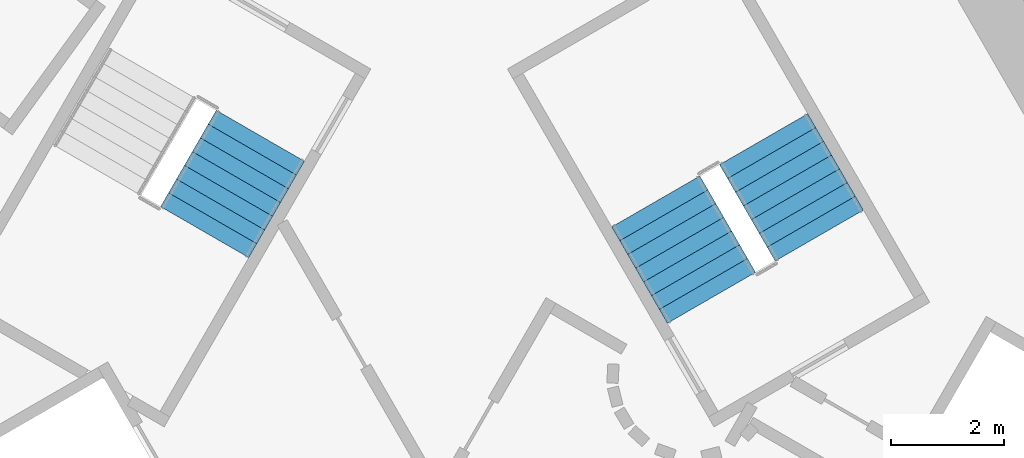
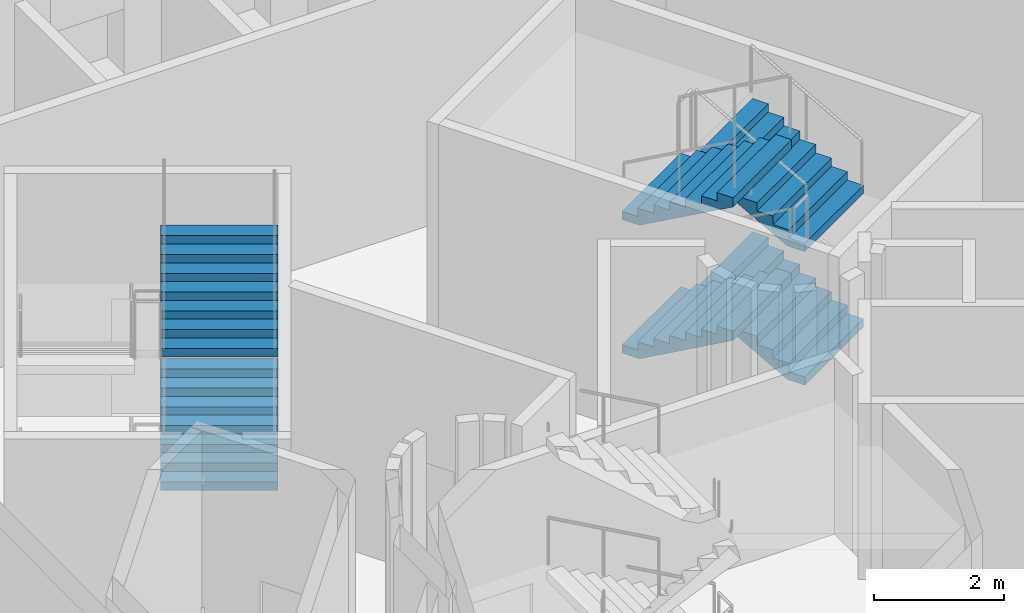
# One storey, part 11 of 16: 6 stair flights, 2 elements without a shape of their own.
"""IFC4 building model written with IfcOpenShell, lengths in metres."""

from ifc_helpers import new_model, si_unit, direction, frame, origin, place, context, subcontext, project, spatial, triangles, material, type_object, element, aggregate, save


model = new_model("IFC4")

# Units and contexts
model_context = context("Model", 3, precision=1e-05, world=origin(), true_north=direction((0.0, 1.0)))
body_context = subcontext(model_context, "Body", "Model", "MODEL_VIEW")
ifc_project = project(units=[si_unit("LENGTHUNIT", "METRE"), si_unit("AREAUNIT", "SQUARE_METRE"), si_unit("VOLUMEUNIT", "CUBIC_METRE"), si_unit("PLANEANGLEUNIT", "RADIAN"), si_unit("MASSUNIT", "GRAM", prefix="KILO")], contexts=[model_context])

# Site, building, storey
site_placement = place(None, origin())
site = spatial("IfcSite", under=ifc_project, at=site_placement, CompositionType="ELEMENT")
building_placement = place(site_placement, origin())
building = spatial("IfcBuilding", under=site, at=building_placement, Name="Entoto Arch Interchange Tower", CompositionType="ELEMENT")
storey_placement = place(building_placement, frame((0.0, 0.0, 20.0)))
storey = spatial("IfcBuildingStorey", under=building, at=storey_placement, Name="L03", CompositionType="ELEMENT", Elevation=20.0)

# Stair, stair flights
ifc_material = material(Name="Concrete C40/50", Category="concrete")
stair_type = type_object("IfcStairType", Name="EXIT STAIR RC 1800", PredefinedType="HALF_TURN_STAIR", material=ifc_material)
stair_1_placement = place(storey_placement, origin())
stair_1 = element("IfcStair", 1, at=stair_1_placement, inside=storey, type_object=stair_type, Name="L03 Exit stair NE", PredefinedType="HALF_TURN_STAIR")
stair_flight_type = type_object("IfcStairFlightType", Name="EXIT STAIR FLIGHT RC 1800", PredefinedType="STRAIGHT", material=ifc_material)
stair_flight_1_placement = place(storey_placement, frame((6.7138671875, 4.470947265625, 0.0), z_axis=(0.0, 0.0, 1.0), x_axis=(-0.5, 0.866025403784, 0.0)))
stair_flight_1 = element("IfcStairFlight", 2, at=stair_flight_1_placement, type_object=stair_flight_type, Name="ST-NE flight 1", NumberOfRisers=8, NumberOfTreads=7, PredefinedType="STRAIGHT", RiserHeight=0.15625, TreadLength=0.28, context=body_context, shape_type="Tessellation", body=[
    triangles([(-0.003, -0.900024, 0.0), (-0.003, -0.900024, 0.15625), (0.28, -0.900024, 0.15625), (0.28, -0.900024, 0.3125), (0.56, -0.900024, 0.3125), (0.56, -0.900024, 0.46875), (0.84, -0.900024, 0.46875), (0.84, -0.900024, 0.625), (1.12, -0.900024, 0.625), (1.12, -0.900024, 0.78125), (1.4, -0.900024, 0.78125), (1.4, -0.900024, 0.9375), (1.68, -0.900024, 0.9375), (1.68, -0.900024, 1.09375), (1.96, -0.900024, 1.09375), (1.963, -0.900024, 1.09375), (1.963, -0.900024, 0.923761), (0.30762, -0.900024, 0.0), (-0.003, 0.900024, 0.0), (-0.003, 0.900024, 0.15625), (0.28, 0.900024, 0.15625), (0.28, 0.900024, 0.3125), (0.56, 0.900024, 0.3125), (0.56, 0.900024, 0.46875), (0.84, 0.900024, 0.46875), (0.84, 0.900024, 0.625), (1.12, 0.900024, 0.625), (1.12, 0.900024, 0.78125), (1.4, 0.900024, 0.78125), (1.4, 0.900024, 0.9375), (1.68, 0.900024, 0.9375), (1.68, 0.900024, 1.09375), (1.96, 0.900024, 1.09375), (1.963, 0.900024, 1.09375), (1.963, 0.900024, 0.923761), (0.30762, 0.900024, 0.0), (-0.003, -0.450012, 0.0), (-0.003, -0.450012, 0.15625), (-0.003, 0.0, 0.0), (-0.003, 0.0, 0.15625), (-0.003, 0.450012, 0.0), (-0.003, 0.450012, 0.15625), (0.28, -0.450012, 0.15625), (0.28, 0.0, 0.15625), (0.28, 0.450012, 0.15625), (0.28, -0.450012, 0.3125), (0.28, 0.0, 0.3125), (0.28, 0.450012, 0.3125), (0.56, -0.450012, 0.3125), (0.56, 0.0, 0.3125), (0.56, 0.450012, 0.3125), (0.56, -0.450012, 0.46875), (0.56, 0.0, 0.46875), (0.56, 0.450012, 0.46875), (0.84, -0.450012, 0.46875), (0.84, 0.0, 0.46875), (0.84, 0.450012, 0.46875), (0.84, -0.450012, 0.625), (0.84, 0.0, 0.625), (0.84, 0.450012, 0.625), (1.12, -0.450012, 0.625), (1.12, 0.0, 0.625), (1.12, 0.450012, 0.625), (1.12, -0.450012, 0.78125), (1.12, 0.0, 0.78125), (1.12, 0.450012, 0.78125), (1.4, -0.450012, 0.78125), (1.4, 0.0, 0.78125), (1.4, 0.450012, 0.78125), (1.4, -0.450012, 0.9375), (1.4, 0.0, 0.9375), (1.4, 0.450012, 0.9375), (1.68, -0.450012, 0.9375), (1.68, 0.0, 0.9375), (1.68, 0.450012, 0.9375), (1.68, -0.450012, 1.09375), (1.68, 0.0, 1.09375), (1.68, 0.450012, 1.09375), (1.96, -0.450012, 1.09375), (1.96, 0.0, 1.09375), (1.96, 0.450012, 1.09375), (1.963, -0.450012, 1.09375), (1.963, 0.0, 1.09375), (1.963, 0.450012, 1.09375), (1.963, -0.450012, 0.923761), (1.963, 0.0, 0.923761), (1.963, 0.450012, 0.923761), (0.30762, -0.450012, 0.0), (0.30762, 0.0, 0.0), (0.30762, 0.450012, 0.0)], [[1, 18, 17], [17, 16, 15], [17, 15, 14], [17, 14, 13], [17, 13, 12], [17, 12, 11], [11, 10, 9], [17, 11, 9], [9, 8, 7], [17, 9, 7], [7, 6, 5], [17, 7, 5], [5, 4, 3], [17, 5, 3], [1, 17, 3], [3, 2, 1], [19, 35, 36], [35, 33, 34], [35, 32, 33], [35, 31, 32], [35, 30, 31], [35, 29, 30], [29, 27, 28], [35, 27, 29], [27, 25, 26], [35, 25, 27], [25, 23, 24], [35, 23, 25], [23, 21, 22], [35, 21, 23], [19, 21, 35], [21, 19, 20], [1, 2, 38], [1, 38, 37], [37, 38, 40], [37, 40, 39], [39, 40, 42], [39, 42, 41], [41, 42, 20], [41, 20, 19], [2, 3, 43], [2, 43, 38], [38, 43, 44], [38, 44, 40], [40, 44, 45], [40, 45, 42], [42, 45, 21], [42, 21, 20], [3, 4, 46], [3, 46, 43], [43, 46, 47], [43, 47, 44], [44, 47, 48], [44, 48, 45], [45, 48, 22], [45, 22, 21], [4, 5, 49], [4, 49, 46], [46, 49, 50], [46, 50, 47], [47, 50, 51], [47, 51, 48], [48, 51, 23], [48, 23, 22], [5, 6, 52], [5, 52, 49], [49, 52, 53], [49, 53, 50], [50, 53, 54], [50, 54, 51], [51, 54, 24], [51, 24, 23], [6, 7, 55], [6, 55, 52], [52, 55, 56], [52, 56, 53], [53, 56, 57], [53, 57, 54], [54, 57, 25], [54, 25, 24], [7, 8, 58], [7, 58, 55], [55, 58, 59], [55, 59, 56], [56, 59, 60], [56, 60, 57], [57, 60, 26], [57, 26, 25], [8, 9, 61], [8, 61, 58], [58, 61, 62], [58, 62, 59], [59, 62, 63], [59, 63, 60], [60, 63, 27], [60, 27, 26], [9, 10, 64], [9, 64, 61], [61, 64, 65], [61, 65, 62], [62, 65, 66], [62, 66, 63], [63, 66, 28], [63, 28, 27], [10, 11, 67], [10, 67, 64], [64, 67, 68], [64, 68, 65], [65, 68, 69], [65, 69, 66], [66, 69, 29], [66, 29, 28], [11, 12, 70], [11, 70, 67], [67, 70, 71], [67, 71, 68], [68, 71, 72], [68, 72, 69], [69, 72, 30], [69, 30, 29], [12, 13, 73], [12, 73, 70], [70, 73, 74], [70, 74, 71], [71, 74, 75], [71, 75, 72], [72, 75, 31], [72, 31, 30], [13, 14, 76], [13, 76, 73], [73, 76, 77], [73, 77, 74], [74, 77, 78], [74, 78, 75], [75, 78, 32], [75, 32, 31], [14, 15, 79], [14, 79, 76], [76, 79, 80], [76, 80, 77], [77, 80, 81], [77, 81, 78], [78, 81, 33], [78, 33, 32], [15, 16, 82], [15, 82, 79], [79, 82, 83], [79, 83, 80], [80, 83, 84], [80, 84, 81], [81, 84, 34], [81, 34, 33], [16, 17, 85], [16, 85, 82], [82, 85, 86], [82, 86, 83], [83, 86, 87], [83, 87, 84], [84, 87, 35], [84, 35, 34], [17, 18, 88], [17, 88, 85], [85, 88, 89], [85, 89, 86], [86, 89, 90], [86, 90, 87], [87, 90, 36], [87, 36, 35], [18, 1, 37], [18, 37, 88], [88, 37, 39], [88, 39, 89], [89, 39, 41], [89, 41, 90], [90, 41, 19], [90, 19, 36]], closed=True),
])
stair_flight_2_placement = place(storey_placement, frame((3.82861328125, 5.068359375, 1.25), z_axis=(0.0, 0.0, 1.0), x_axis=(0.5, -0.866025403784, 0.0)))
stair_flight_2 = element("IfcStairFlight", 3, at=stair_flight_2_placement, type_object=stair_flight_type, Name="ST-NE flight 2", NumberOfRisers=8, NumberOfTreads=7, PredefinedType="STRAIGHT", RiserHeight=0.15625, TreadLength=0.28, context=body_context, shape_type="Tessellation", body=[
    triangles([(-0.003, -0.900024, 0.0), (-0.003, -0.900024, 0.15625), (0.28, -0.900024, 0.15625), (0.28, -0.900024, 0.3125), (0.56, -0.900024, 0.3125), (0.56, -0.900024, 0.46875), (0.84, -0.900024, 0.46875), (0.84, -0.900024, 0.625), (1.12, -0.900024, 0.625), (1.12, -0.900024, 0.78125), (1.4, -0.900024, 0.78125), (1.4, -0.900024, 0.9375), (1.68, -0.900024, 0.9375), (1.68, -0.900024, 1.09375), (1.96, -0.900024, 1.09375), (1.963, -0.900024, 1.09375), (1.963, -0.900024, 0.923761), (0.30762, -0.900024, 0.0), (-0.003, 0.900024, 0.0), (-0.003, 0.900024, 0.15625), (0.28, 0.900024, 0.15625), (0.28, 0.900024, 0.3125), (0.56, 0.900024, 0.3125), (0.56, 0.900024, 0.46875), (0.84, 0.900024, 0.46875), (0.84, 0.900024, 0.625), (1.12, 0.900024, 0.625), (1.12, 0.900024, 0.78125), (1.4, 0.900024, 0.78125), (1.4, 0.900024, 0.9375), (1.68, 0.900024, 0.9375), (1.68, 0.900024, 1.09375), (1.96, 0.900024, 1.09375), (1.963, 0.900024, 1.09375), (1.963, 0.900024, 0.923761), (0.30762, 0.900024, 0.0), (-0.003, -0.450012, 0.0), (-0.003, -0.450012, 0.15625), (-0.003, 0.0, 0.0), (-0.003, 0.0, 0.15625), (-0.003, 0.450012, 0.0), (-0.003, 0.450012, 0.15625), (0.28, -0.450012, 0.15625), (0.28, 0.0, 0.15625), (0.28, 0.450012, 0.15625), (0.28, -0.450012, 0.3125), (0.28, 0.0, 0.3125), (0.28, 0.450012, 0.3125), (0.56, -0.450012, 0.3125), (0.56, 0.0, 0.3125), (0.56, 0.450012, 0.3125), (0.56, -0.450012, 0.46875), (0.56, 0.0, 0.46875), (0.56, 0.450012, 0.46875), (0.84, -0.450012, 0.46875), (0.84, 0.0, 0.46875), (0.84, 0.450012, 0.46875), (0.84, -0.450012, 0.625), (0.84, 0.0, 0.625), (0.84, 0.450012, 0.625), (1.12, -0.450012, 0.625), (1.12, 0.0, 0.625), (1.12, 0.450012, 0.625), (1.12, -0.450012, 0.78125), (1.12, 0.0, 0.78125), (1.12, 0.450012, 0.78125), (1.4, -0.450012, 0.78125), (1.4, 0.0, 0.78125), (1.4, 0.450012, 0.78125), (1.4, -0.450012, 0.9375), (1.4, 0.0, 0.9375), (1.4, 0.450012, 0.9375), (1.68, -0.450012, 0.9375), (1.68, 0.0, 0.9375), (1.68, 0.450012, 0.9375), (1.68, -0.450012, 1.09375), (1.68, 0.0, 1.09375), (1.68, 0.450012, 1.09375), (1.96, -0.450012, 1.09375), (1.96, 0.0, 1.09375), (1.96, 0.450012, 1.09375), (1.963, -0.450012, 1.09375), (1.963, 0.0, 1.09375), (1.963, 0.450012, 1.09375), (1.963, -0.450012, 0.923761), (1.963, 0.0, 0.923761), (1.963, 0.450012, 0.923761), (0.30762, -0.450012, 0.0), (0.30762, 0.0, 0.0), (0.30762, 0.450012, 0.0)], [[1, 18, 17], [17, 16, 15], [17, 15, 14], [17, 14, 13], [17, 13, 12], [17, 12, 11], [11, 10, 9], [17, 11, 9], [9, 8, 7], [17, 9, 7], [7, 6, 5], [17, 7, 5], [5, 4, 3], [17, 5, 3], [1, 17, 3], [3, 2, 1], [19, 35, 36], [35, 33, 34], [35, 32, 33], [35, 31, 32], [35, 30, 31], [35, 29, 30], [29, 27, 28], [35, 27, 29], [27, 25, 26], [35, 25, 27], [25, 23, 24], [35, 23, 25], [23, 21, 22], [35, 21, 23], [19, 21, 35], [21, 19, 20], [1, 2, 38], [1, 38, 37], [37, 38, 40], [37, 40, 39], [39, 40, 42], [39, 42, 41], [41, 42, 20], [41, 20, 19], [2, 3, 43], [2, 43, 38], [38, 43, 44], [38, 44, 40], [40, 44, 45], [40, 45, 42], [42, 45, 21], [42, 21, 20], [3, 4, 46], [3, 46, 43], [43, 46, 47], [43, 47, 44], [44, 47, 48], [44, 48, 45], [45, 48, 22], [45, 22, 21], [4, 5, 49], [4, 49, 46], [46, 49, 50], [46, 50, 47], [47, 50, 51], [47, 51, 48], [48, 51, 23], [48, 23, 22], [5, 6, 52], [5, 52, 49], [49, 52, 53], [49, 53, 50], [50, 53, 54], [50, 54, 51], [51, 54, 24], [51, 24, 23], [6, 7, 55], [6, 55, 52], [52, 55, 56], [52, 56, 53], [53, 56, 57], [53, 57, 54], [54, 57, 25], [54, 25, 24], [7, 8, 58], [7, 58, 55], [55, 58, 59], [55, 59, 56], [56, 59, 60], [56, 60, 57], [57, 60, 26], [57, 26, 25], [8, 9, 61], [8, 61, 58], [58, 61, 62], [58, 62, 59], [59, 62, 63], [59, 63, 60], [60, 63, 27], [60, 27, 26], [9, 10, 64], [9, 64, 61], [61, 64, 65], [61, 65, 62], [62, 65, 66], [62, 66, 63], [63, 66, 28], [63, 28, 27], [10, 11, 67], [10, 67, 64], [64, 67, 68], [64, 68, 65], [65, 68, 69], [65, 69, 66], [66, 69, 29], [66, 29, 28], [11, 12, 70], [11, 70, 67], [67, 70, 71], [67, 71, 68], [68, 71, 72], [68, 72, 69], [69, 72, 30], [69, 30, 29], [12, 13, 73], [12, 73, 70], [70, 73, 74], [70, 74, 71], [71, 74, 75], [71, 75, 72], [72, 75, 31], [72, 31, 30], [13, 14, 76], [13, 76, 73], [73, 76, 77], [73, 77, 74], [74, 77, 78], [74, 78, 75], [75, 78, 32], [75, 32, 31], [14, 15, 79], [14, 79, 76], [76, 79, 80], [76, 80, 77], [77, 80, 81], [77, 81, 78], [78, 81, 33], [78, 33, 32], [15, 16, 82], [15, 82, 79], [79, 82, 83], [79, 83, 80], [80, 83, 84], [80, 84, 81], [81, 84, 34], [81, 34, 33], [16, 17, 85], [16, 85, 82], [82, 85, 86], [82, 86, 83], [83, 86, 87], [83, 87, 84], [84, 87, 35], [84, 35, 34], [17, 18, 88], [17, 88, 85], [85, 88, 89], [85, 89, 86], [86, 89, 90], [86, 90, 87], [87, 90, 36], [87, 36, 35], [18, 1, 37], [18, 37, 88], [88, 37, 39], [88, 39, 89], [89, 39, 41], [89, 41, 90], [90, 41, 19], [90, 19, 36]], closed=True),
])
stair_flight_3_placement = place(storey_placement, frame((6.7138671875, 4.470947265625, 2.5), z_axis=(0.0, 0.0, 1.0), x_axis=(-0.5, 0.866025403784, 0.0)))
stair_flight_3 = element("IfcStairFlight", 4, at=stair_flight_3_placement, type_object=stair_flight_type, Name="ST-NE flight 3", NumberOfRisers=8, NumberOfTreads=7, PredefinedType="STRAIGHT", RiserHeight=0.15625, TreadLength=0.28, context=body_context, shape_type="Tessellation", body=[
    triangles([(-0.003, -0.900024, 0.0), (-0.003, -0.900024, 0.15625), (0.28, -0.900024, 0.15625), (0.28, -0.900024, 0.3125), (0.56, -0.900024, 0.3125), (0.56, -0.900024, 0.46875), (0.84, -0.900024, 0.46875), (0.84, -0.900024, 0.625), (1.12, -0.900024, 0.625), (1.12, -0.900024, 0.78125), (1.4, -0.900024, 0.78125), (1.4, -0.900024, 0.9375), (1.68, -0.900024, 0.9375), (1.68, -0.900024, 1.09375), (1.96, -0.900024, 1.09375), (1.963, -0.900024, 1.09375), (1.963, -0.900024, 0.923761), (0.30762, -0.900024, 0.0), (-0.003, 0.900024, 0.0), (-0.003, 0.900024, 0.15625), (0.28, 0.900024, 0.15625), (0.28, 0.900024, 0.3125), (0.56, 0.900024, 0.3125), (0.56, 0.900024, 0.46875), (0.84, 0.900024, 0.46875), (0.84, 0.900024, 0.625), (1.12, 0.900024, 0.625), (1.12, 0.900024, 0.78125), (1.4, 0.900024, 0.78125), (1.4, 0.900024, 0.9375), (1.68, 0.900024, 0.9375), (1.68, 0.900024, 1.09375), (1.96, 0.900024, 1.09375), (1.963, 0.900024, 1.09375), (1.963, 0.900024, 0.923761), (0.30762, 0.900024, 0.0), (-0.003, -0.450012, 0.0), (-0.003, -0.450012, 0.15625), (-0.003, 0.0, 0.0), (-0.003, 0.0, 0.15625), (-0.003, 0.450012, 0.0), (-0.003, 0.450012, 0.15625), (0.28, -0.450012, 0.15625), (0.28, 0.0, 0.15625), (0.28, 0.450012, 0.15625), (0.28, -0.450012, 0.3125), (0.28, 0.0, 0.3125), (0.28, 0.450012, 0.3125), (0.56, -0.450012, 0.3125), (0.56, 0.0, 0.3125), (0.56, 0.450012, 0.3125), (0.56, -0.450012, 0.46875), (0.56, 0.0, 0.46875), (0.56, 0.450012, 0.46875), (0.84, -0.450012, 0.46875), (0.84, 0.0, 0.46875), (0.84, 0.450012, 0.46875), (0.84, -0.450012, 0.625), (0.84, 0.0, 0.625), (0.84, 0.450012, 0.625), (1.12, -0.450012, 0.625), (1.12, 0.0, 0.625), (1.12, 0.450012, 0.625), (1.12, -0.450012, 0.78125), (1.12, 0.0, 0.78125), (1.12, 0.450012, 0.78125), (1.4, -0.450012, 0.78125), (1.4, 0.0, 0.78125), (1.4, 0.450012, 0.78125), (1.4, -0.450012, 0.9375), (1.4, 0.0, 0.9375), (1.4, 0.450012, 0.9375), (1.68, -0.450012, 0.9375), (1.68, 0.0, 0.9375), (1.68, 0.450012, 0.9375), (1.68, -0.450012, 1.09375), (1.68, 0.0, 1.09375), (1.68, 0.450012, 1.09375), (1.96, -0.450012, 1.09375), (1.96, 0.0, 1.09375), (1.96, 0.450012, 1.09375), (1.963, -0.450012, 1.09375), (1.963, 0.0, 1.09375), (1.963, 0.450012, 1.09375), (1.963, -0.450012, 0.923761), (1.963, 0.0, 0.923761), (1.963, 0.450012, 0.923761), (0.30762, -0.450012, 0.0), (0.30762, 0.0, 0.0), (0.30762, 0.450012, 0.0)], [[1, 18, 17], [17, 16, 15], [17, 15, 14], [17, 14, 13], [17, 13, 12], [17, 12, 11], [11, 10, 9], [17, 11, 9], [9, 8, 7], [17, 9, 7], [7, 6, 5], [17, 7, 5], [5, 4, 3], [17, 5, 3], [1, 17, 3], [3, 2, 1], [19, 35, 36], [35, 33, 34], [35, 32, 33], [35, 31, 32], [35, 30, 31], [35, 29, 30], [29, 27, 28], [35, 27, 29], [27, 25, 26], [35, 25, 27], [25, 23, 24], [35, 23, 25], [23, 21, 22], [35, 21, 23], [19, 21, 35], [21, 19, 20], [1, 2, 38], [1, 38, 37], [37, 38, 40], [37, 40, 39], [39, 40, 42], [39, 42, 41], [41, 42, 20], [41, 20, 19], [2, 3, 43], [2, 43, 38], [38, 43, 44], [38, 44, 40], [40, 44, 45], [40, 45, 42], [42, 45, 21], [42, 21, 20], [3, 4, 46], [3, 46, 43], [43, 46, 47], [43, 47, 44], [44, 47, 48], [44, 48, 45], [45, 48, 22], [45, 22, 21], [4, 5, 49], [4, 49, 46], [46, 49, 50], [46, 50, 47], [47, 50, 51], [47, 51, 48], [48, 51, 23], [48, 23, 22], [5, 6, 52], [5, 52, 49], [49, 52, 53], [49, 53, 50], [50, 53, 54], [50, 54, 51], [51, 54, 24], [51, 24, 23], [6, 7, 55], [6, 55, 52], [52, 55, 56], [52, 56, 53], [53, 56, 57], [53, 57, 54], [54, 57, 25], [54, 25, 24], [7, 8, 58], [7, 58, 55], [55, 58, 59], [55, 59, 56], [56, 59, 60], [56, 60, 57], [57, 60, 26], [57, 26, 25], [8, 9, 61], [8, 61, 58], [58, 61, 62], [58, 62, 59], [59, 62, 63], [59, 63, 60], [60, 63, 27], [60, 27, 26], [9, 10, 64], [9, 64, 61], [61, 64, 65], [61, 65, 62], [62, 65, 66], [62, 66, 63], [63, 66, 28], [63, 28, 27], [10, 11, 67], [10, 67, 64], [64, 67, 68], [64, 68, 65], [65, 68, 69], [65, 69, 66], [66, 69, 29], [66, 29, 28], [11, 12, 70], [11, 70, 67], [67, 70, 71], [67, 71, 68], [68, 71, 72], [68, 72, 69], [69, 72, 30], [69, 30, 29], [12, 13, 73], [12, 73, 70], [70, 73, 74], [70, 74, 71], [71, 74, 75], [71, 75, 72], [72, 75, 31], [72, 31, 30], [13, 14, 76], [13, 76, 73], [73, 76, 77], [73, 77, 74], [74, 77, 78], [74, 78, 75], [75, 78, 32], [75, 32, 31], [14, 15, 79], [14, 79, 76], [76, 79, 80], [76, 80, 77], [77, 80, 81], [77, 81, 78], [78, 81, 33], [78, 33, 32], [15, 16, 82], [15, 82, 79], [79, 82, 83], [79, 83, 80], [80, 83, 84], [80, 84, 81], [81, 84, 34], [81, 34, 33], [16, 17, 85], [16, 85, 82], [82, 85, 86], [82, 86, 83], [83, 86, 87], [83, 87, 84], [84, 87, 35], [84, 35, 34], [17, 18, 88], [17, 88, 85], [85, 88, 89], [85, 89, 86], [86, 89, 90], [86, 90, 87], [87, 90, 36], [87, 36, 35], [18, 1, 37], [18, 37, 88], [88, 37, 39], [88, 39, 89], [89, 39, 41], [89, 41, 90], [90, 41, 19], [90, 19, 36]], closed=True),
])
stair_flight_4_placement = place(storey_placement, frame((3.82861328125, 5.068359375, 3.75), z_axis=(0.0, 0.0, 1.0), x_axis=(0.5, -0.866025403784, 0.0)))
stair_flight_4 = element("IfcStairFlight", 5, at=stair_flight_4_placement, type_object=stair_flight_type, Name="ST-NE flight 4", NumberOfRisers=8, NumberOfTreads=7, PredefinedType="STRAIGHT", RiserHeight=0.15625, TreadLength=0.28, context=body_context, shape_type="Tessellation", body=[
    triangles([(-0.003, -0.900024, 0.0), (-0.003, -0.900024, 0.15625), (0.28, -0.900024, 0.15625), (0.28, -0.900024, 0.3125), (0.56, -0.900024, 0.3125), (0.56, -0.900024, 0.46875), (0.84, -0.900024, 0.46875), (0.84, -0.900024, 0.625), (1.12, -0.900024, 0.625), (1.12, -0.900024, 0.78125), (1.4, -0.900024, 0.78125), (1.4, -0.900024, 0.9375), (1.68, -0.900024, 0.9375), (1.68, -0.900024, 1.09375), (1.96, -0.900024, 1.09375), (1.963, -0.900024, 1.09375), (1.963, -0.900024, 0.923761), (0.30762, -0.900024, 0.0), (-0.003, 0.900024, 0.0), (-0.003, 0.900024, 0.15625), (0.28, 0.900024, 0.15625), (0.28, 0.900024, 0.3125), (0.56, 0.900024, 0.3125), (0.56, 0.900024, 0.46875), (0.84, 0.900024, 0.46875), (0.84, 0.900024, 0.625), (1.12, 0.900024, 0.625), (1.12, 0.900024, 0.78125), (1.4, 0.900024, 0.78125), (1.4, 0.900024, 0.9375), (1.68, 0.900024, 0.9375), (1.68, 0.900024, 1.09375), (1.96, 0.900024, 1.09375), (1.963, 0.900024, 1.09375), (1.963, 0.900024, 0.923761), (0.30762, 0.900024, 0.0), (-0.003, -0.450012, 0.0), (-0.003, -0.450012, 0.15625), (-0.003, 0.0, 0.0), (-0.003, 0.0, 0.15625), (-0.003, 0.450012, 0.0), (-0.003, 0.450012, 0.15625), (0.28, -0.450012, 0.15625), (0.28, 0.0, 0.15625), (0.28, 0.450012, 0.15625), (0.28, -0.450012, 0.3125), (0.28, 0.0, 0.3125), (0.28, 0.450012, 0.3125), (0.56, -0.450012, 0.3125), (0.56, 0.0, 0.3125), (0.56, 0.450012, 0.3125), (0.56, -0.450012, 0.46875), (0.56, 0.0, 0.46875), (0.56, 0.450012, 0.46875), (0.84, -0.450012, 0.46875), (0.84, 0.0, 0.46875), (0.84, 0.450012, 0.46875), (0.84, -0.450012, 0.625), (0.84, 0.0, 0.625), (0.84, 0.450012, 0.625), (1.12, -0.450012, 0.625), (1.12, 0.0, 0.625), (1.12, 0.450012, 0.625), (1.12, -0.450012, 0.78125), (1.12, 0.0, 0.78125), (1.12, 0.450012, 0.78125), (1.4, -0.450012, 0.78125), (1.4, 0.0, 0.78125), (1.4, 0.450012, 0.78125), (1.4, -0.450012, 0.9375), (1.4, 0.0, 0.9375), (1.4, 0.450012, 0.9375), (1.68, -0.450012, 0.9375), (1.68, 0.0, 0.9375), (1.68, 0.450012, 0.9375), (1.68, -0.450012, 1.09375), (1.68, 0.0, 1.09375), (1.68, 0.450012, 1.09375), (1.96, -0.450012, 1.09375), (1.96, 0.0, 1.09375), (1.96, 0.450012, 1.09375), (1.963, -0.450012, 1.09375), (1.963, 0.0, 1.09375), (1.963, 0.450012, 1.09375), (1.963, -0.450012, 0.923761), (1.963, 0.0, 0.923761), (1.963, 0.450012, 0.923761), (0.30762, -0.450012, 0.0), (0.30762, 0.0, 0.0), (0.30762, 0.450012, 0.0)], [[1, 18, 17], [17, 16, 15], [17, 15, 14], [17, 14, 13], [17, 13, 12], [17, 12, 11], [11, 10, 9], [17, 11, 9], [9, 8, 7], [17, 9, 7], [7, 6, 5], [17, 7, 5], [5, 4, 3], [17, 5, 3], [1, 17, 3], [3, 2, 1], [19, 35, 36], [35, 33, 34], [35, 32, 33], [35, 31, 32], [35, 30, 31], [35, 29, 30], [29, 27, 28], [35, 27, 29], [27, 25, 26], [35, 25, 27], [25, 23, 24], [35, 23, 25], [23, 21, 22], [35, 21, 23], [19, 21, 35], [21, 19, 20], [1, 2, 38], [1, 38, 37], [37, 38, 40], [37, 40, 39], [39, 40, 42], [39, 42, 41], [41, 42, 20], [41, 20, 19], [2, 3, 43], [2, 43, 38], [38, 43, 44], [38, 44, 40], [40, 44, 45], [40, 45, 42], [42, 45, 21], [42, 21, 20], [3, 4, 46], [3, 46, 43], [43, 46, 47], [43, 47, 44], [44, 47, 48], [44, 48, 45], [45, 48, 22], [45, 22, 21], [4, 5, 49], [4, 49, 46], [46, 49, 50], [46, 50, 47], [47, 50, 51], [47, 51, 48], [48, 51, 23], [48, 23, 22], [5, 6, 52], [5, 52, 49], [49, 52, 53], [49, 53, 50], [50, 53, 54], [50, 54, 51], [51, 54, 24], [51, 24, 23], [6, 7, 55], [6, 55, 52], [52, 55, 56], [52, 56, 53], [53, 56, 57], [53, 57, 54], [54, 57, 25], [54, 25, 24], [7, 8, 58], [7, 58, 55], [55, 58, 59], [55, 59, 56], [56, 59, 60], [56, 60, 57], [57, 60, 26], [57, 26, 25], [8, 9, 61], [8, 61, 58], [58, 61, 62], [58, 62, 59], [59, 62, 63], [59, 63, 60], [60, 63, 27], [60, 27, 26], [9, 10, 64], [9, 64, 61], [61, 64, 65], [61, 65, 62], [62, 65, 66], [62, 66, 63], [63, 66, 28], [63, 28, 27], [10, 11, 67], [10, 67, 64], [64, 67, 68], [64, 68, 65], [65, 68, 69], [65, 69, 66], [66, 69, 29], [66, 29, 28], [11, 12, 70], [11, 70, 67], [67, 70, 71], [67, 71, 68], [68, 71, 72], [68, 72, 69], [69, 72, 30], [69, 30, 29], [12, 13, 73], [12, 73, 70], [70, 73, 74], [70, 74, 71], [71, 74, 75], [71, 75, 72], [72, 75, 31], [72, 31, 30], [13, 14, 76], [13, 76, 73], [73, 76, 77], [73, 77, 74], [74, 77, 78], [74, 78, 75], [75, 78, 32], [75, 32, 31], [14, 15, 79], [14, 79, 76], [76, 79, 80], [76, 80, 77], [77, 80, 81], [77, 81, 78], [78, 81, 33], [78, 33, 32], [15, 16, 82], [15, 82, 79], [79, 82, 83], [79, 83, 80], [80, 83, 84], [80, 84, 81], [81, 84, 34], [81, 34, 33], [16, 17, 85], [16, 85, 82], [82, 85, 86], [82, 86, 83], [83, 86, 87], [83, 87, 84], [84, 87, 35], [84, 35, 34], [17, 18, 88], [17, 88, 85], [85, 88, 89], [85, 89, 86], [86, 89, 90], [86, 90, 87], [87, 90, 36], [87, 36, 35], [18, 1, 37], [18, 37, 88], [88, 37, 39], [88, 39, 89], [89, 39, 41], [89, 41, 90], [90, 41, 19], [90, 19, 36]], closed=True),
])
aggregate(stair_1, [stair_flight_1, stair_flight_2, stair_flight_3, stair_flight_4])

stair_2_placement = place(storey_placement, origin())
stair_2 = element("IfcStair", 6, at=stair_2_placement, inside=storey, type_object=stair_type, Name="L03 Exit stair NW", PredefinedType="HALF_TURN_STAIR")
stair_flight_5_placement = place(storey_placement, frame((-4.138671875, 4.531494140625, 1.25), z_axis=(0.0, 0.0, 1.0), x_axis=(0.5, 0.866025403784, 0.0)))
stair_flight_5 = element("IfcStairFlight", 7, at=stair_flight_5_placement, type_object=stair_flight_type, Name="ST-NW flight 2", NumberOfRisers=8, NumberOfTreads=7, PredefinedType="STRAIGHT", RiserHeight=0.15625, TreadLength=0.28, context=body_context, shape_type="Tessellation", body=[
    triangles([(-0.003, -0.900024, 0.0), (-0.003, -0.900024, 0.15625), (0.28, -0.900024, 0.15625), (0.28, -0.900024, 0.3125), (0.56, -0.900024, 0.3125), (0.56, -0.900024, 0.46875), (0.84, -0.900024, 0.46875), (0.84, -0.900024, 0.625), (1.12, -0.900024, 0.625), (1.12, -0.900024, 0.78125), (1.4, -0.900024, 0.78125), (1.4, -0.900024, 0.9375), (1.68, -0.900024, 0.9375), (1.68, -0.900024, 1.09375), (1.96, -0.900024, 1.09375), (1.963, -0.900024, 1.09375), (1.963, -0.900024, 0.923761), (0.30762, -0.900024, 0.0), (-0.003, 0.900024, 0.0), (-0.003, 0.900024, 0.15625), (0.28, 0.900024, 0.15625), (0.28, 0.900024, 0.3125), (0.56, 0.900024, 0.3125), (0.56, 0.900024, 0.46875), (0.84, 0.900024, 0.46875), (0.84, 0.900024, 0.625), (1.12, 0.900024, 0.625), (1.12, 0.900024, 0.78125), (1.4, 0.900024, 0.78125), (1.4, 0.900024, 0.9375), (1.68, 0.900024, 0.9375), (1.68, 0.900024, 1.09375), (1.96, 0.900024, 1.09375), (1.963, 0.900024, 1.09375), (1.963, 0.900024, 0.923761), (0.30762, 0.900024, 0.0), (-0.003, -0.450012, 0.0), (-0.003, -0.450012, 0.15625), (-0.003, 0.0, 0.0), (-0.003, 0.0, 0.15625), (-0.003, 0.450012, 0.0), (-0.003, 0.450012, 0.15625), (0.28, -0.450012, 0.15625), (0.28, 0.0, 0.15625), (0.28, 0.450012, 0.15625), (0.28, -0.450012, 0.3125), (0.28, 0.0, 0.3125), (0.28, 0.450012, 0.3125), (0.56, -0.450012, 0.3125), (0.56, 0.0, 0.3125), (0.56, 0.450012, 0.3125), (0.56, -0.450012, 0.46875), (0.56, 0.0, 0.46875), (0.56, 0.450012, 0.46875), (0.84, -0.450012, 0.46875), (0.84, 0.0, 0.46875), (0.84, 0.450012, 0.46875), (0.84, -0.450012, 0.625), (0.84, 0.0, 0.625), (0.84, 0.450012, 0.625), (1.12, -0.450012, 0.625), (1.12, 0.0, 0.625), (1.12, 0.450012, 0.625), (1.12, -0.450012, 0.78125), (1.12, 0.0, 0.78125), (1.12, 0.450012, 0.78125), (1.4, -0.450012, 0.78125), (1.4, 0.0, 0.78125), (1.4, 0.450012, 0.78125), (1.4, -0.450012, 0.9375), (1.4, 0.0, 0.9375), (1.4, 0.450012, 0.9375), (1.68, -0.450012, 0.9375), (1.68, 0.0, 0.9375), (1.68, 0.450012, 0.9375), (1.68, -0.450012, 1.09375), (1.68, 0.0, 1.09375), (1.68, 0.450012, 1.09375), (1.96, -0.450012, 1.09375), (1.96, 0.0, 1.09375), (1.96, 0.450012, 1.09375), (1.963, -0.450012, 1.09375), (1.963, 0.0, 1.09375), (1.963, 0.450012, 1.09375), (1.963, -0.450012, 0.923761), (1.963, 0.0, 0.923761), (1.963, 0.450012, 0.923761), (0.30762, -0.450012, 0.0), (0.30762, 0.0, 0.0), (0.30762, 0.450012, 0.0)], [[1, 18, 17], [17, 16, 15], [17, 15, 14], [17, 14, 13], [17, 13, 12], [17, 12, 11], [11, 10, 9], [17, 11, 9], [9, 8, 7], [17, 9, 7], [7, 6, 5], [17, 7, 5], [5, 4, 3], [17, 5, 3], [1, 17, 3], [3, 2, 1], [19, 35, 36], [35, 33, 34], [35, 32, 33], [35, 31, 32], [35, 30, 31], [35, 29, 30], [29, 27, 28], [35, 27, 29], [27, 25, 26], [35, 25, 27], [25, 23, 24], [35, 23, 25], [23, 21, 22], [35, 21, 23], [19, 21, 35], [21, 19, 20], [1, 2, 38], [1, 38, 37], [37, 38, 40], [37, 40, 39], [39, 40, 42], [39, 42, 41], [41, 42, 20], [41, 20, 19], [2, 3, 43], [2, 43, 38], [38, 43, 44], [38, 44, 40], [40, 44, 45], [40, 45, 42], [42, 45, 21], [42, 21, 20], [3, 4, 46], [3, 46, 43], [43, 46, 47], [43, 47, 44], [44, 47, 48], [44, 48, 45], [45, 48, 22], [45, 22, 21], [4, 5, 49], [4, 49, 46], [46, 49, 50], [46, 50, 47], [47, 50, 51], [47, 51, 48], [48, 51, 23], [48, 23, 22], [5, 6, 52], [5, 52, 49], [49, 52, 53], [49, 53, 50], [50, 53, 54], [50, 54, 51], [51, 54, 24], [51, 24, 23], [6, 7, 55], [6, 55, 52], [52, 55, 56], [52, 56, 53], [53, 56, 57], [53, 57, 54], [54, 57, 25], [54, 25, 24], [7, 8, 58], [7, 58, 55], [55, 58, 59], [55, 59, 56], [56, 59, 60], [56, 60, 57], [57, 60, 26], [57, 26, 25], [8, 9, 61], [8, 61, 58], [58, 61, 62], [58, 62, 59], [59, 62, 63], [59, 63, 60], [60, 63, 27], [60, 27, 26], [9, 10, 64], [9, 64, 61], [61, 64, 65], [61, 65, 62], [62, 65, 66], [62, 66, 63], [63, 66, 28], [63, 28, 27], [10, 11, 67], [10, 67, 64], [64, 67, 68], [64, 68, 65], [65, 68, 69], [65, 69, 66], [66, 69, 29], [66, 29, 28], [11, 12, 70], [11, 70, 67], [67, 70, 71], [67, 71, 68], [68, 71, 72], [68, 72, 69], [69, 72, 30], [69, 30, 29], [12, 13, 73], [12, 73, 70], [70, 73, 74], [70, 74, 71], [71, 74, 75], [71, 75, 72], [72, 75, 31], [72, 31, 30], [13, 14, 76], [13, 76, 73], [73, 76, 77], [73, 77, 74], [74, 77, 78], [74, 78, 75], [75, 78, 32], [75, 32, 31], [14, 15, 79], [14, 79, 76], [76, 79, 80], [76, 80, 77], [77, 80, 81], [77, 81, 78], [78, 81, 33], [78, 33, 32], [15, 16, 82], [15, 82, 79], [79, 82, 83], [79, 83, 80], [80, 83, 84], [80, 84, 81], [81, 84, 34], [81, 34, 33], [16, 17, 85], [16, 85, 82], [82, 85, 86], [82, 86, 83], [83, 86, 87], [83, 87, 84], [84, 87, 35], [84, 35, 34], [17, 18, 88], [17, 88, 85], [85, 88, 89], [85, 89, 86], [86, 89, 90], [86, 90, 87], [87, 90, 36], [87, 36, 35], [18, 1, 37], [18, 37, 88], [88, 37, 39], [88, 39, 89], [89, 39, 41], [89, 41, 90], [90, 41, 19], [90, 19, 36]], closed=True),
])
stair_flight_6_placement = place(storey_placement, frame((-4.138671875, 4.531494140625, 3.75), z_axis=(0.0, 0.0, 1.0), x_axis=(0.5, 0.866025403784, 0.0)))
stair_flight_6 = element("IfcStairFlight", 8, at=stair_flight_6_placement, type_object=stair_flight_type, Name="ST-NW flight 4", NumberOfRisers=8, NumberOfTreads=7, PredefinedType="STRAIGHT", RiserHeight=0.15625, TreadLength=0.28, context=body_context, shape_type="Tessellation", body=[
    triangles([(-0.003, -0.900024, 0.0), (-0.003, -0.900024, 0.15625), (0.28, -0.900024, 0.15625), (0.28, -0.900024, 0.3125), (0.56, -0.900024, 0.3125), (0.56, -0.900024, 0.46875), (0.84, -0.900024, 0.46875), (0.84, -0.900024, 0.625), (1.12, -0.900024, 0.625), (1.12, -0.900024, 0.78125), (1.4, -0.900024, 0.78125), (1.4, -0.900024, 0.9375), (1.68, -0.900024, 0.9375), (1.68, -0.900024, 1.09375), (1.96, -0.900024, 1.09375), (1.963, -0.900024, 1.09375), (1.963, -0.900024, 0.923761), (0.30762, -0.900024, 0.0), (-0.003, 0.900024, 0.0), (-0.003, 0.900024, 0.15625), (0.28, 0.900024, 0.15625), (0.28, 0.900024, 0.3125), (0.56, 0.900024, 0.3125), (0.56, 0.900024, 0.46875), (0.84, 0.900024, 0.46875), (0.84, 0.900024, 0.625), (1.12, 0.900024, 0.625), (1.12, 0.900024, 0.78125), (1.4, 0.900024, 0.78125), (1.4, 0.900024, 0.9375), (1.68, 0.900024, 0.9375), (1.68, 0.900024, 1.09375), (1.96, 0.900024, 1.09375), (1.963, 0.900024, 1.09375), (1.963, 0.900024, 0.923761), (0.30762, 0.900024, 0.0), (-0.003, -0.450012, 0.0), (-0.003, -0.450012, 0.15625), (-0.003, 0.0, 0.0), (-0.003, 0.0, 0.15625), (-0.003, 0.450012, 0.0), (-0.003, 0.450012, 0.15625), (0.28, -0.450012, 0.15625), (0.28, 0.0, 0.15625), (0.28, 0.450012, 0.15625), (0.28, -0.450012, 0.3125), (0.28, 0.0, 0.3125), (0.28, 0.450012, 0.3125), (0.56, -0.450012, 0.3125), (0.56, 0.0, 0.3125), (0.56, 0.450012, 0.3125), (0.56, -0.450012, 0.46875), (0.56, 0.0, 0.46875), (0.56, 0.450012, 0.46875), (0.84, -0.450012, 0.46875), (0.84, 0.0, 0.46875), (0.84, 0.450012, 0.46875), (0.84, -0.450012, 0.625), (0.84, 0.0, 0.625), (0.84, 0.450012, 0.625), (1.12, -0.450012, 0.625), (1.12, 0.0, 0.625), (1.12, 0.450012, 0.625), (1.12, -0.450012, 0.78125), (1.12, 0.0, 0.78125), (1.12, 0.450012, 0.78125), (1.4, -0.450012, 0.78125), (1.4, 0.0, 0.78125), (1.4, 0.450012, 0.78125), (1.4, -0.450012, 0.9375), (1.4, 0.0, 0.9375), (1.4, 0.450012, 0.9375), (1.68, -0.450012, 0.9375), (1.68, 0.0, 0.9375), (1.68, 0.450012, 0.9375), (1.68, -0.450012, 1.09375), (1.68, 0.0, 1.09375), (1.68, 0.450012, 1.09375), (1.96, -0.450012, 1.09375), (1.96, 0.0, 1.09375), (1.96, 0.450012, 1.09375), (1.963, -0.450012, 1.09375), (1.963, 0.0, 1.09375), (1.963, 0.450012, 1.09375), (1.963, -0.450012, 0.923761), (1.963, 0.0, 0.923761), (1.963, 0.450012, 0.923761), (0.30762, -0.450012, 0.0), (0.30762, 0.0, 0.0), (0.30762, 0.450012, 0.0)], [[1, 18, 17], [17, 16, 15], [17, 15, 14], [17, 14, 13], [17, 13, 12], [17, 12, 11], [11, 10, 9], [17, 11, 9], [9, 8, 7], [17, 9, 7], [7, 6, 5], [17, 7, 5], [5, 4, 3], [17, 5, 3], [1, 17, 3], [3, 2, 1], [19, 35, 36], [35, 33, 34], [35, 32, 33], [35, 31, 32], [35, 30, 31], [35, 29, 30], [29, 27, 28], [35, 27, 29], [27, 25, 26], [35, 25, 27], [25, 23, 24], [35, 23, 25], [23, 21, 22], [35, 21, 23], [19, 21, 35], [21, 19, 20], [1, 2, 38], [1, 38, 37], [37, 38, 40], [37, 40, 39], [39, 40, 42], [39, 42, 41], [41, 42, 20], [41, 20, 19], [2, 3, 43], [2, 43, 38], [38, 43, 44], [38, 44, 40], [40, 44, 45], [40, 45, 42], [42, 45, 21], [42, 21, 20], [3, 4, 46], [3, 46, 43], [43, 46, 47], [43, 47, 44], [44, 47, 48], [44, 48, 45], [45, 48, 22], [45, 22, 21], [4, 5, 49], [4, 49, 46], [46, 49, 50], [46, 50, 47], [47, 50, 51], [47, 51, 48], [48, 51, 23], [48, 23, 22], [5, 6, 52], [5, 52, 49], [49, 52, 53], [49, 53, 50], [50, 53, 54], [50, 54, 51], [51, 54, 24], [51, 24, 23], [6, 7, 55], [6, 55, 52], [52, 55, 56], [52, 56, 53], [53, 56, 57], [53, 57, 54], [54, 57, 25], [54, 25, 24], [7, 8, 58], [7, 58, 55], [55, 58, 59], [55, 59, 56], [56, 59, 60], [56, 60, 57], [57, 60, 26], [57, 26, 25], [8, 9, 61], [8, 61, 58], [58, 61, 62], [58, 62, 59], [59, 62, 63], [59, 63, 60], [60, 63, 27], [60, 27, 26], [9, 10, 64], [9, 64, 61], [61, 64, 65], [61, 65, 62], [62, 65, 66], [62, 66, 63], [63, 66, 28], [63, 28, 27], [10, 11, 67], [10, 67, 64], [64, 67, 68], [64, 68, 65], [65, 68, 69], [65, 69, 66], [66, 69, 29], [66, 29, 28], [11, 12, 70], [11, 70, 67], [67, 70, 71], [67, 71, 68], [68, 71, 72], [68, 72, 69], [69, 72, 30], [69, 30, 29], [12, 13, 73], [12, 73, 70], [70, 73, 74], [70, 74, 71], [71, 74, 75], [71, 75, 72], [72, 75, 31], [72, 31, 30], [13, 14, 76], [13, 76, 73], [73, 76, 77], [73, 77, 74], [74, 77, 78], [74, 78, 75], [75, 78, 32], [75, 32, 31], [14, 15, 79], [14, 79, 76], [76, 79, 80], [76, 80, 77], [77, 80, 81], [77, 81, 78], [78, 81, 33], [78, 33, 32], [15, 16, 82], [15, 82, 79], [79, 82, 83], [79, 83, 80], [80, 83, 84], [80, 84, 81], [81, 84, 34], [81, 34, 33], [16, 17, 85], [16, 85, 82], [82, 85, 86], [82, 86, 83], [83, 86, 87], [83, 87, 84], [84, 87, 35], [84, 35, 34], [17, 18, 88], [17, 88, 85], [85, 88, 89], [85, 89, 86], [86, 89, 90], [86, 90, 87], [87, 90, 36], [87, 36, 35], [18, 1, 37], [18, 37, 88], [88, 37, 39], [88, 39, 89], [89, 39, 41], [89, 41, 90], [90, 41, 19], [90, 19, 36]], closed=True),
])
aggregate(stair_2, [stair_flight_5, stair_flight_6])

save(model, "model.ifc")
